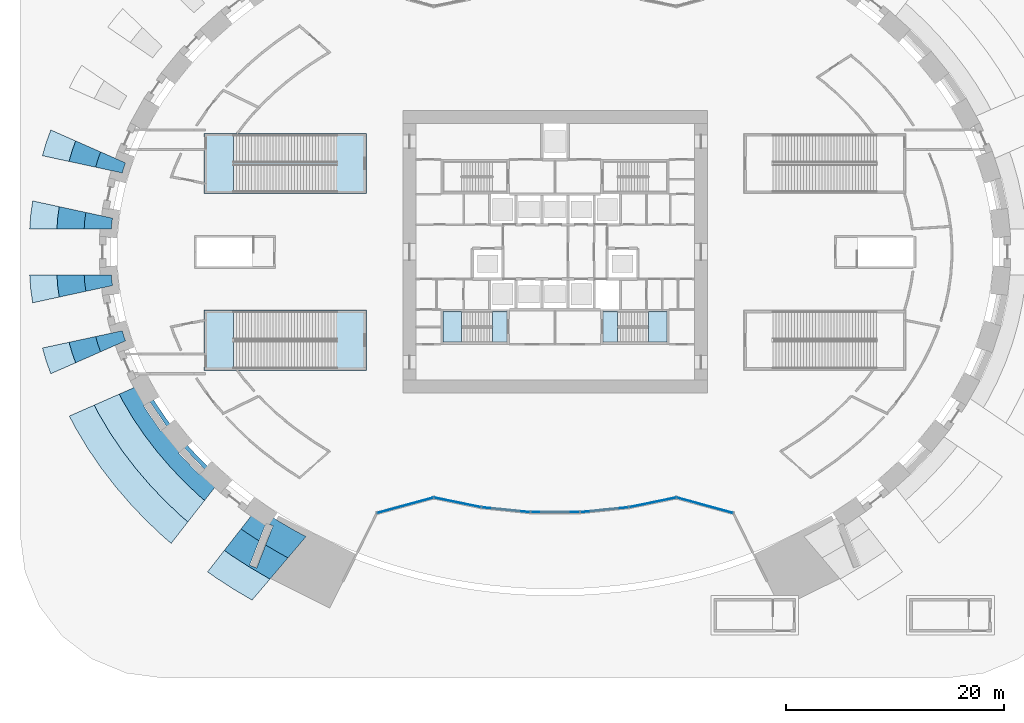
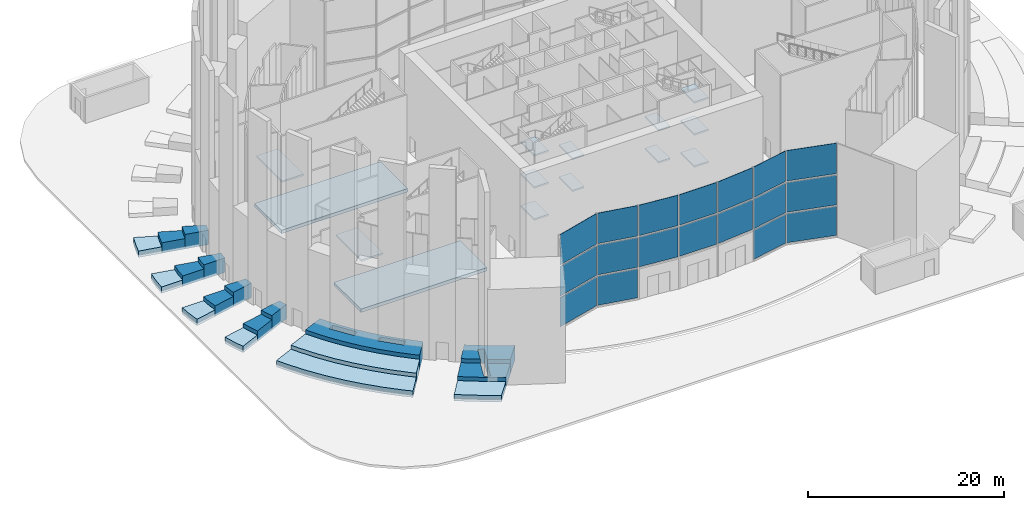
# One storey, part 3 of 25: 32 slabs, 18 plates, 5 elements without a shape of their own.
"""IFC4 building model written with IfcOpenShell, lengths in metres."""

from ifc_helpers import new_model, si_unit, direction, frame, origin, origin_2d, place, context, subcontext, project, spatial, polyline, rectangle, outline, extrude, source, transform, mapped, material, layer, layer_set, type_object, element, aggregate, save


model = new_model("IFC4")

# Units and contexts
model_context = context("Model", 3, precision=1e-05, world=origin(), true_north=direction((0.0, 1.0)))
body_context = subcontext(model_context, "Body", "Model", "MODEL_VIEW")
ifc_project = project(units=[si_unit("LENGTHUNIT", "METRE"), si_unit("AREAUNIT", "SQUARE_METRE"), si_unit("VOLUMEUNIT", "CUBIC_METRE"), si_unit("PLANEANGLEUNIT", "RADIAN"), si_unit("MASSUNIT", "GRAM", prefix="KILO")], contexts=[model_context])

# Site, building, storey
site_placement = place(None, origin())
site = spatial("IfcSite", under=ifc_project, at=site_placement, CompositionType="ELEMENT")
building_placement = place(site_placement, origin())
building = spatial("IfcBuilding", under=site, at=building_placement, Name="Embergate Tower", CompositionType="ELEMENT")
storey_placement = place(building_placement, origin())
storey = spatial("IfcBuildingStorey", under=building, at=storey_placement, Name="L00", CompositionType="ELEMENT", Elevation=0.0)

# Curtain wall, plates
ifc_material_1 = material(Name="Aluminium and glass", Category="aluminium")
curtain_wall_type = type_object("IfcCurtainWallType", Name="Portal infill glazing", PredefinedType="NOTDEFINED", material=ifc_material_1)
curtain_wall_placement = place(storey_placement, origin())
curtain_wall = element("IfcCurtainWall", 1, at=curtain_wall_placement, inside=storey, type_object=curtain_wall_type, Name="Portal infill glazing S porch", ObjectType="PORTAL INFILL GLAZING", PredefinedType="USERDEFINED")
ifc_material_2 = material(Name="Triple glazing, low-emissivity coating", Category="glass")
ifc_layer_1 = layer(ifc_material_2, 0.0458984375)
ifc_layer_set_1 = layer_set([ifc_layer_1], Name="Triple glazing, low-emissivity coating")
plate_type = type_object("IfcPlateType", Name="Portal glazing unit", PredefinedType="CURTAIN_PANEL", material=ifc_layer_set_1)
shared_shape_1 = source(origin(), body_context, "Body", "SweptSolid", [
    extrude(rectangle(XDim=5.27783203125, YDim=0.0458984375, at=origin_2d()), origin(), (0.0, 0.0, 1.0), 3.6298828125),
])
plate_1_placement = place(storey_placement, frame((-13.76904296875, -23.303955078125, 0.18017578125), z_axis=(0.0, 0.0, 1.0), x_axis=(0.96460667999, 0.263692914045, 0.0)))
plate_1 = element("IfcPlate", 2, at=plate_1_placement, type_object=plate_type, Name="CW panel 1.1", PredefinedType="CURTAIN_PANEL", context=body_context, shape_type="MappedRepresentation", body=[
    mapped(shared_shape_1, transform((0.0, 0.0, 0.0))),
])
plate_2_placement = place(storey_placement, frame((13.76904296875, -23.303955078125, 0.18017578125), z_axis=(0.0, 0.0, 1.0), x_axis=(0.96460667999, -0.263692914045, 0.0)))
plate_2 = element("IfcPlate", 3, at=plate_2_placement, type_object=plate_type, Name="CW panel 7.1", PredefinedType="CURTAIN_PANEL", context=body_context, shape_type="MappedRepresentation", body=[
    mapped(shared_shape_1, transform((0.0, 0.0, 0.0))),
])
shared_shape_2 = source(origin(), body_context, "Body", "SweptSolid", [
    extrude(rectangle(XDim=5.27783203125, YDim=0.0458984375, at=origin_2d()), origin(), (0.0, 0.0, 1.0), 3.719970703125),
])
plate_3_placement = place(storey_placement, frame((-13.76904296875, -23.303955078125, 3.990234375), z_axis=(0.0, 0.0, 1.0), x_axis=(0.96460667999, 0.263692914045, 0.0)))
plate_3 = element("IfcPlate", 4, at=plate_3_placement, type_object=plate_type, Name="CW panel 1.2", PredefinedType="CURTAIN_PANEL", context=body_context, shape_type="MappedRepresentation", body=[
    mapped(shared_shape_2, transform((0.0, 0.0, 0.0))),
])
plate_4_placement = place(storey_placement, frame((13.76904296875, -23.303955078125, 3.990234375), z_axis=(0.0, 0.0, 1.0), x_axis=(0.96460667999, -0.263692914045, 0.0)))
plate_4 = element("IfcPlate", 5, at=plate_4_placement, type_object=plate_type, Name="CW panel 7.2", PredefinedType="CURTAIN_PANEL", context=body_context, shape_type="MappedRepresentation", body=[
    mapped(shared_shape_2, transform((0.0, 0.0, 0.0))),
])
shared_shape_3 = source(origin(), body_context, "Body", "SweptSolid", [
    extrude(rectangle(XDim=5.27783203125, YDim=0.0458984375, at=origin_2d()), origin(), (0.0, 0.0, 1.0), 3.81005859375),
])
plate_5_placement = place(storey_placement, frame((-13.76904296875, -23.303955078125, 7.889892578125), z_axis=(0.0, 0.0, 1.0), x_axis=(0.96460667999, 0.263692914045, 0.0)))
plate_5 = element("IfcPlate", 6, at=plate_5_placement, type_object=plate_type, Name="CW panel 1.3", PredefinedType="CURTAIN_PANEL", context=body_context, shape_type="MappedRepresentation", body=[
    mapped(shared_shape_3, transform((0.0, 0.0, 0.0))),
])
plate_6_placement = place(storey_placement, frame((13.76904296875, -23.303955078125, 7.889892578125), z_axis=(0.0, 0.0, 1.0), x_axis=(0.96460667999, -0.263692914045, 0.0)))
plate_6 = element("IfcPlate", 7, at=plate_6_placement, type_object=plate_type, Name="CW panel 7.3", PredefinedType="CURTAIN_PANEL", context=body_context, shape_type="MappedRepresentation", body=[
    mapped(shared_shape_3, transform((0.0, 0.0, 0.0))),
])
shared_shape_4 = source(origin(), body_context, "Body", "SweptSolid", [
    extrude(rectangle(XDim=4.322509765625, YDim=0.0458984375, at=origin_2d()), origin(), (0.0, 0.0, 1.0), 3.6298828125),
])
plate_7_placement = place(storey_placement, frame((-8.970458984375, -23.03857421875, 0.18017578125), z_axis=(0.0, 0.0, 1.0), x_axis=(0.979538383697, -0.201257434309, 0.0)))
plate_7 = element("IfcPlate", 8, at=plate_7_placement, type_object=plate_type, Name="CW panel 2.1", PredefinedType="CURTAIN_PANEL", context=body_context, shape_type="MappedRepresentation", body=[
    mapped(shared_shape_4, transform((0.0, 0.0, 0.0))),
])
plate_8_placement = place(storey_placement, frame((8.970458984375, -23.03857421875, 0.18017578125), z_axis=(0.0, 0.0, 1.0), x_axis=(0.979538383697, 0.201257434309, 0.0)))
plate_8 = element("IfcPlate", 9, at=plate_8_placement, type_object=plate_type, Name="CW panel 6.1", PredefinedType="CURTAIN_PANEL", context=body_context, shape_type="MappedRepresentation", body=[
    mapped(shared_shape_4, transform((0.0, 0.0, 0.0))),
])
shared_shape_5 = source(origin(), body_context, "Body", "SweptSolid", [
    extrude(rectangle(XDim=4.322509765625, YDim=0.0458984375, at=origin_2d()), origin(), (0.0, 0.0, 1.0), 3.719970703125),
])
plate_9_placement = place(storey_placement, frame((-8.970458984375, -23.03857421875, 3.990234375), z_axis=(0.0, 0.0, 1.0), x_axis=(0.979538383697, -0.201257434309, 0.0)))
plate_9 = element("IfcPlate", 10, at=plate_9_placement, type_object=plate_type, Name="CW panel 2.2", PredefinedType="CURTAIN_PANEL", context=body_context, shape_type="MappedRepresentation", body=[
    mapped(shared_shape_5, transform((0.0, 0.0, 0.0))),
])
plate_10_placement = place(storey_placement, frame((8.970458984375, -23.03857421875, 3.990234375), z_axis=(0.0, 0.0, 1.0), x_axis=(0.979538383697, 0.201257434309, 0.0)))
plate_10 = element("IfcPlate", 11, at=plate_10_placement, type_object=plate_type, Name="CW panel 6.2", PredefinedType="CURTAIN_PANEL", context=body_context, shape_type="MappedRepresentation", body=[
    mapped(shared_shape_5, transform((0.0, 0.0, 0.0))),
])
shared_shape_6 = source(origin(), body_context, "Body", "SweptSolid", [
    extrude(rectangle(XDim=4.322509765625, YDim=0.0458984375, at=origin_2d()), origin(), (0.0, 0.0, 1.0), 3.81005859375),
])
plate_11_placement = place(storey_placement, frame((-8.970458984375, -23.03857421875, 7.889892578125), z_axis=(0.0, 0.0, 1.0), x_axis=(0.979538383697, -0.201257434309, 0.0)))
plate_11 = element("IfcPlate", 12, at=plate_11_placement, type_object=plate_type, Name="CW panel 2.3", PredefinedType="CURTAIN_PANEL", context=body_context, shape_type="MappedRepresentation", body=[
    mapped(shared_shape_6, transform((0.0, 0.0, 0.0))),
])
plate_12_placement = place(storey_placement, frame((8.970458984375, -23.03857421875, 7.889892578125), z_axis=(0.0, 0.0, 1.0), x_axis=(0.979538383697, 0.201257434309, 0.0)))
plate_12 = element("IfcPlate", 13, at=plate_12_placement, type_object=plate_type, Name="CW panel 6.3", PredefinedType="CURTAIN_PANEL", context=body_context, shape_type="MappedRepresentation", body=[
    mapped(shared_shape_6, transform((0.0, 0.0, 0.0))),
])
shared_shape_7 = source(origin(), body_context, "Body", "SweptSolid", [
    extrude(rectangle(XDim=4.390869140625, YDim=0.0458984375, at=origin_2d()), origin(), (0.0, 0.0, 1.0), 3.719970703125),
])
plate_13_placement = place(storey_placement, frame((-4.531005859375, -23.71533203125, 3.990234375), z_axis=(0.0, 0.0, 1.0), x_axis=(0.994941904343, -0.100452013328, 0.0)))
plate_13 = element("IfcPlate", 14, at=plate_13_placement, type_object=plate_type, Name="CW panel 3.2", PredefinedType="CURTAIN_PANEL", context=body_context, shape_type="MappedRepresentation", body=[
    mapped(shared_shape_7, transform((0.0, 0.0, 0.0))),
])
plate_14_placement = place(storey_placement, frame((4.531005859375, -23.71533203125, 3.990234375), z_axis=(0.0, 0.0, 1.0), x_axis=(0.994941904343, 0.100452013328, 0.0)))
plate_14 = element("IfcPlate", 15, at=plate_14_placement, type_object=plate_type, Name="CW panel 5.2", PredefinedType="CURTAIN_PANEL", context=body_context, shape_type="MappedRepresentation", body=[
    mapped(shared_shape_7, transform((0.0, 0.0, 0.0))),
])
shared_shape_8 = source(origin(), body_context, "Body", "SweptSolid", [
    extrude(rectangle(XDim=4.390869140625, YDim=0.0458984375, at=origin_2d()), origin(), (0.0, 0.0, 1.0), 3.81005859375),
])
plate_15_placement = place(storey_placement, frame((-4.531005859375, -23.71533203125, 7.889892578125), z_axis=(0.0, 0.0, 1.0), x_axis=(0.994941904343, -0.100452013328, 0.0)))
plate_15 = element("IfcPlate", 16, at=plate_15_placement, type_object=plate_type, Name="CW panel 3.3", PredefinedType="CURTAIN_PANEL", context=body_context, shape_type="MappedRepresentation", body=[
    mapped(shared_shape_8, transform((0.0, 0.0, 0.0))),
])
plate_16_placement = place(storey_placement, frame((4.531005859375, -23.71533203125, 7.889892578125), z_axis=(0.0, 0.0, 1.0), x_axis=(0.994941904343, 0.100452013328, 0.0)))
plate_16 = element("IfcPlate", 17, at=plate_16_placement, type_object=plate_type, Name="CW panel 5.3", PredefinedType="CURTAIN_PANEL", context=body_context, shape_type="MappedRepresentation", body=[
    mapped(shared_shape_8, transform((0.0, 0.0, 0.0))),
])
shared_shape_9 = source(origin(), body_context, "Body", "SweptSolid", [
    extrude(rectangle(XDim=4.4140625, YDim=0.0458984375, at=origin_2d()), origin(), (0.0, 0.0, 1.0), 3.719970703125),
])
plate_17_placement = place(storey_placement, frame((0.0, -23.94287109375, 3.990234375), z_axis=(0.0, 0.0, 1.0), x_axis=(1.0, 0.0, 0.0)))
plate_17 = element("IfcPlate", 18, at=plate_17_placement, type_object=plate_type, Name="CW panel 4.2", PredefinedType="CURTAIN_PANEL", context=body_context, shape_type="MappedRepresentation", body=[
    mapped(shared_shape_9, transform((0.0, 0.0, 0.0))),
])
shared_shape_10 = source(origin(), body_context, "Body", "SweptSolid", [
    extrude(rectangle(XDim=4.4140625, YDim=0.0458984375, at=origin_2d()), origin(), (0.0, 0.0, 1.0), 3.81005859375),
])
plate_18_placement = place(storey_placement, frame((0.0, -23.94287109375, 7.889892578125), z_axis=(0.0, 0.0, 1.0), x_axis=(1.0, 0.0, 0.0)))
plate_18 = element("IfcPlate", 19, at=plate_18_placement, type_object=plate_type, Name="CW panel 4.3", PredefinedType="CURTAIN_PANEL", context=body_context, shape_type="MappedRepresentation", body=[
    mapped(shared_shape_10, transform((0.0, 0.0, 0.0))),
])
aggregate(curtain_wall, [plate_1, plate_3, plate_5, plate_7, plate_9, plate_11, plate_13, plate_15, plate_17, plate_18, plate_14, plate_16, plate_8, plate_10, plate_12, plate_2, plate_4, plate_6])

# Stair, slabs
ifc_material_3 = material(Name="Exit stair")
stair_type_1 = type_object("IfcStairType", Name="Exit stair", PredefinedType="HALF_TURN_STAIR", material=ifc_material_3)
stair_1_placement = place(storey_placement, origin())
stair_1 = element("IfcStair", 20, at=stair_1_placement, inside=storey, type_object=stair_type_1, Name="L00 Exit stair 3", PredefinedType="HALF_TURN_STAIR")
ifc_material_4 = material(Name="Concrete C40", Category="concrete")
ifc_layer_2 = layer(ifc_material_4, 0.199951171875)
ifc_layer_set_2 = layer_set([ifc_layer_2], Name="Concrete C40")
slab_type_1 = type_object("IfcSlabType", Name="Stair landing reinforced concrete", PredefinedType="LANDING", material=ifc_layer_set_2)
shared_shape_11 = source(origin(), body_context, "Body", "SweptSolid", [
    extrude(outline(polyline([(0.0, 0.0), (1.68994140625, 0.0), (1.68994140625, 2.800048828125), (0.0, 2.800048828125), (0.0, 0.0)])), origin(), (0.0, 0.0, 1.0), 0.199951171875),
])
slab_1_placement = place(storey_placement, frame((-10.300048828125, -8.300048828125, 1.800048828125)))
slab_1 = element("IfcSlab", 21, at=slab_1_placement, type_object=slab_type_1, Name="ST3 landing 1", PredefinedType="LANDING", context=body_context, shape_type="MappedRepresentation", body=[
    mapped(shared_shape_11, transform((0.0, 0.0, 0.0))),
])
slab_2_placement = place(storey_placement, frame((-10.300048828125, -8.300048828125, 5.800048828125)))
slab_2 = element("IfcSlab", 22, at=slab_2_placement, type_object=slab_type_1, Name="ST3 landing 3", PredefinedType="LANDING", context=body_context, shape_type="MappedRepresentation", body=[
    mapped(shared_shape_11, transform((0.0, 0.0, 0.0))),
])
slab_3_placement = place(storey_placement, frame((-10.300048828125, -8.300048828125, 9.800048828125)))
slab_3 = element("IfcSlab", 23, at=slab_3_placement, type_object=slab_type_1, Name="ST3 landing 5", PredefinedType="LANDING", context=body_context, shape_type="MappedRepresentation", body=[
    mapped(shared_shape_11, transform((0.0, 0.0, 0.0))),
])

stair_2_placement = place(storey_placement, origin())
stair_2 = element("IfcStair", 24, at=stair_2_placement, inside=storey, type_object=stair_type_1, Name="L00 Exit stair 4", PredefinedType="HALF_TURN_STAIR")
slab_4_placement = place(storey_placement, frame((8.610107421875, -8.300048828125, 1.800048828125)))
slab_4 = element("IfcSlab", 25, at=slab_4_placement, type_object=slab_type_1, Name="ST4 landing 1", PredefinedType="LANDING", context=body_context, shape_type="MappedRepresentation", body=[
    mapped(shared_shape_11, transform((0.0, 0.0, 0.0))),
])
slab_5_placement = place(storey_placement, frame((8.610107421875, -8.300048828125, 5.800048828125)))
slab_5 = element("IfcSlab", 26, at=slab_5_placement, type_object=slab_type_1, Name="ST4 landing 3", PredefinedType="LANDING", context=body_context, shape_type="MappedRepresentation", body=[
    mapped(shared_shape_11, transform((0.0, 0.0, 0.0))),
])
slab_6_placement = place(storey_placement, frame((8.610107421875, -8.300048828125, 9.800048828125)))
slab_6 = element("IfcSlab", 27, at=slab_6_placement, type_object=slab_type_1, Name="ST4 landing 5", PredefinedType="LANDING", context=body_context, shape_type="MappedRepresentation", body=[
    mapped(shared_shape_11, transform((0.0, 0.0, 0.0))),
])

# Slab
shared_shape_12 = source(origin(), body_context, "Body", "SweptSolid", [
    extrude(outline(polyline([(0.0, 0.0), (1.35009765625, 0.0), (1.35009765625, 2.800048828125), (0.0, 2.800048828125), (0.0, 0.0)])), origin(), (0.0, 0.0, 1.0), 0.199951171875),
])
slab_7_placement = place(storey_placement, frame((-5.75, -8.300048828125, 3.800048828125)))
slab_7 = element("IfcSlab", 28, at=slab_7_placement, type_object=slab_type_1, Name="ST3 landing 2", PredefinedType="LANDING", context=body_context, shape_type="MappedRepresentation", body=[
    mapped(shared_shape_12, transform((0.0, 0.0, 0.0))),
])

slab_8_placement = place(storey_placement, frame((-5.75, -8.300048828125, 7.800048828125)))
slab_8 = element("IfcSlab", 29, at=slab_8_placement, type_object=slab_type_1, Name="ST3 landing 4", PredefinedType="LANDING", context=body_context, shape_type="MappedRepresentation", body=[
    mapped(shared_shape_12, transform((0.0, 0.0, 0.0))),
])

aggregate(stair_1, [slab_1, slab_7, slab_2, slab_8, slab_3])

slab_9_placement = place(storey_placement, frame((4.39990234375, -8.300048828125, 3.800048828125)))
slab_9 = element("IfcSlab", 30, at=slab_9_placement, type_object=slab_type_1, Name="ST4 landing 2", PredefinedType="LANDING", context=body_context, shape_type="MappedRepresentation", body=[
    mapped(shared_shape_12, transform((0.0, 0.0, 0.0))),
])

slab_10_placement = place(storey_placement, frame((4.39990234375, -8.300048828125, 7.800048828125)))
slab_10 = element("IfcSlab", 31, at=slab_10_placement, type_object=slab_type_1, Name="ST4 landing 4", PredefinedType="LANDING", context=body_context, shape_type="MappedRepresentation", body=[
    mapped(shared_shape_12, transform((0.0, 0.0, 0.0))),
])

aggregate(stair_2, [slab_4, slab_9, slab_5, slab_10, slab_6])

# Slabs
ifc_layer_3 = layer(ifc_material_4, 0.419921875)
ifc_layer_set_3 = layer_set([ifc_layer_3], Name="Concrete C40")
slab_type_2 = type_object("IfcSlabType", Name="Stair base slab C40 420", PredefinedType="FLOOR", material=ifc_layer_set_3)
shared_shape_13 = source(origin(), body_context, "Body", "SweptSolid", [
    extrude(outline(polyline([(0.0, 0.0), (0.0, 5.5498046875), (14.919921875, 5.5498046875), (14.919921875, 0.0), (0.0, 0.0)])), origin(), (0.0, 0.0, 1.0), 0.419921875),
])
for number, where, name in (
    (32, (-32.27001953125, 5.35009765625, -0.419921875), "Stair base slab"),
    (33, (-32.27001953125, -10.89990234375, -0.419921875), "Stair base slab"),
):
    element("IfcSlab", number, at=place(storey_placement, frame(where)), inside=storey, type_object=slab_type_2, Name=name, PredefinedType="FLOOR", context=body_context, shape_type="MappedRepresentation", body=[
        mapped(shared_shape_13, transform((0.0, 0.0, 0.0))),
    ])

# Stair, slab
stair_type_2 = type_object("IfcStairType", Name="Podium exit stair RC", PredefinedType="HALF_TURN_STAIR", material=ifc_material_4)
stair_3_placement = place(storey_placement, origin())
stair_3 = element("IfcStair", 34, at=stair_3_placement, inside=storey, type_object=stair_type_2, Name="L00 Podium exit stair 3", PredefinedType="HALF_TURN_STAIR")
ifc_layer_4 = layer(ifc_material_4, 0.199951171875)
ifc_layer_set_4 = layer_set([ifc_layer_4], Name="Concrete C40")
slab_type_3 = type_object("IfcSlabType", Name="Podium exit stair landing RC", PredefinedType="LANDING", material=ifc_layer_set_4)
shared_shape_14 = source(origin(), body_context, "Body", "SweptSolid", [
    extrude(outline(polyline([(0.0, 0.0), (2.550048828125, 0.0), (2.550048828125, 5.25), (0.0, 5.25), (0.0, 0.0)])), origin(), (0.0, 0.0, 1.0), 0.199951171875),
])
slab_11_placement = place(storey_placement, frame((-32.1201171875, 5.5, 5.800048828125)))
slab_11 = element("IfcSlab", 35, at=slab_11_placement, type_object=slab_type_3, Name="P3 landing 1", PredefinedType="LANDING", context=body_context, shape_type="MappedRepresentation", body=[
    mapped(shared_shape_14, transform((0.0, 0.0, 0.0))),
])
aggregate(stair_3, [slab_11])

stair_4_placement = place(storey_placement, origin())
stair_4 = element("IfcStair", 36, at=stair_4_placement, inside=storey, type_object=stair_type_2, Name="L00 Podium exit stair 4", PredefinedType="HALF_TURN_STAIR")
slab_12_placement = place(storey_placement, frame((-32.1201171875, -10.75, 5.800048828125)))
slab_12 = element("IfcSlab", 37, at=slab_12_placement, type_object=slab_type_3, Name="P4 landing 1", PredefinedType="LANDING", context=body_context, shape_type="MappedRepresentation", body=[
    mapped(shared_shape_14, transform((0.0, 0.0, 0.0))),
])
aggregate(stair_4, [slab_12])

# Slabs
ifc_material_5 = material(Name="Stone on concrete fill", Category="masonry")
ifc_layer_5 = layer(ifc_material_5, 0.5)
ifc_layer_set_5 = layer_set([ifc_layer_5], Name="Stone plinth step")
slab_type_4 = type_object("IfcSlabType", Name="Plinth step stone 500", PredefinedType="USERDEFINED", material=ifc_layer_set_5)
shared_shape_15 = source(origin(), body_context, "Body", "SweptSolid", [
    extrude(outline(polyline([(0.0, 0.0), (-2.447998046875, 0.529052734375), (-2.2412109375, 1.2470703125), (-1.9912109375, 1.93603515625), (0.30078125, 0.927001953125), (0.135986328125, 0.47216796875), (0.0, 0.0)])), origin(), (0.0, 0.0, 1.0), 1.800048828125),
])
slab_13_placement = place(storey_placement, frame((-39.7958984375, 7.25390625, -0.300048828125)))
element("IfcSlab", 38, at=slab_13_placement, inside=storey, type_object=slab_type_4, Name="Plinth step", ObjectType="PLINTH STEP", PredefinedType="USERDEFINED", context=body_context, shape_type="MappedRepresentation", body=[
    mapped(shared_shape_15, transform((0.0, 0.0, 0.0))),
])
shared_shape_16 = source(origin(), body_context, "Body", "SweptSolid", [
    extrude(outline(polyline([(0.0, 0.0), (0.053955078125, 0.757080078125), (0.1611328125, 1.5029296875), (2.609130859375, 0.97412109375), (2.5400390625, 0.489990234375), (2.505126953125, 0.0), (0.0, 0.0)])), origin(), (0.0, 0.0, 1.0), 1.800048828125),
])
slab_14_placement = place(storey_placement, frame((-43.300048828125, 2.125, -0.300048828125)))
element("IfcSlab", 39, at=slab_14_placement, inside=storey, type_object=slab_type_4, Name="Plinth step", ObjectType="PLINTH STEP", PredefinedType="USERDEFINED", context=body_context, shape_type="MappedRepresentation", body=[
    mapped(shared_shape_16, transform((0.0, 0.0, 0.0))),
])
shared_shape_17 = source(origin(), body_context, "Body", "SweptSolid", [
    extrude(outline(polyline([(0.0, 0.0), (-0.107177734375, 0.745849609375), (-0.1611328125, 1.5029296875), (2.343994140625, 1.5029296875), (2.37890625, 1.012939453125), (2.447998046875, 0.52880859375), (0.0, 0.0)])), origin(), (0.0, 0.0, 1.0), 1.800048828125),
])
slab_15_placement = place(storey_placement, frame((-43.138916015625, -3.6279296875, -0.300048828125)))
element("IfcSlab", 40, at=slab_15_placement, inside=storey, type_object=slab_type_4, Name="Plinth step", ObjectType="PLINTH STEP", PredefinedType="USERDEFINED", context=body_context, shape_type="MappedRepresentation", body=[
    mapped(shared_shape_17, transform((0.0, 0.0, 0.0))),
])
shared_shape_18 = source(origin(), body_context, "Body", "SweptSolid", [
    extrude(outline(polyline([(0.0, 0.0), (-0.25, 0.68896484375), (-0.456787109375, 1.406982421875), (1.9912109375, 1.93603515625), (2.127197265625, 1.4638671875), (2.2919921875, 1.009033203125), (0.0, 0.0)])), origin(), (0.0, 0.0, 1.0), 1.800048828125),
])
slab_16_placement = place(storey_placement, frame((-41.787109375, -9.18994140625, -0.300048828125)))
element("IfcSlab", 41, at=slab_16_placement, inside=storey, type_object=slab_type_4, Name="Plinth step", ObjectType="PLINTH STEP", PredefinedType="USERDEFINED", context=body_context, shape_type="MappedRepresentation", body=[
    mapped(shared_shape_18, transform((0.0, 0.0, 0.0))),
])
shared_shape_19 = source(origin(), body_context, "Body", "SweptSolid", [
    extrude(outline(polyline([(0.0, 0.0), (1.537109375, 1.973876953125), (1.18115234375, 2.27978515625), (-0.094970703125, 3.48681640625), (-1.2919921875, 4.742919921875), (-2.407958984375, 6.04296875), (-3.47900390625, 7.43896484375), (-4.45703125, 8.876953125), (-5.337890625, 10.351806640625), (-5.56201171875, 10.785888671875), (-7.85302734375, 9.77685546875), (-7.52099609375, 9.134765625), (-6.56396484375, 7.531982421875), (-5.5048828125, 5.973876953125), (-4.347900390625, 4.4658203125), (-3.14501953125, 3.06494140625), (-1.85888671875, 1.7158203125), (-0.491943359375, 0.421875), (0.0, 0.0)]), holes=[polyline([(-0.492919921875, 2.372802734375), (-2.39794921875, 4.364990234375), (-1.891845703125, 4.848876953125), (0.01318359375, 2.85693359375), (-0.492919921875, 2.372802734375)]), polyline([(-4.048828125, 6.39599609375), (-5.616943359375, 8.69482421875), (-5.037841796875, 9.0888671875), (-3.470947265625, 6.790771484375), (-4.048828125, 6.39599609375)])]), origin(), (0.0, 0.0, 1.0), 1.800048828125),
])
slab_17_placement = place(storey_placement, frame((-32.22607421875, -22.85888671875, -0.300048828125)))
element("IfcSlab", 42, at=slab_17_placement, inside=storey, type_object=slab_type_4, Name="Plinth step", ObjectType="PLINTH STEP", PredefinedType="USERDEFINED", context=body_context, shape_type="MappedRepresentation", body=[
    mapped(shared_shape_19, transform((0.0, 0.0, 0.0))),
])
shared_shape_20 = source(origin(), body_context, "Body", "SweptSolid", [
    extrude(outline(polyline([(0.0, 0.0), (-0.694091796875, 0.370849609375), (-2.06201171875, 1.1748046875), (-1.382080078125, 2.94091796875), (-2.034912109375, 3.19287109375), (-2.666015625, 1.552978515625), (-3.801025390625, 2.285888671875), (-4.322998046875, 2.65576171875), (-2.7861328125, 4.6298828125), (-2.39990234375, 4.35595703125), (-0.9619140625, 3.427978515625), (0.528076171875, 2.55078125), (1.656005859375, 1.948974609375), (0.0, 0.0)])), origin(), (0.0, 0.0, 1.0), 1.800048828125),
])
slab_18_placement = place(storey_placement, frame((-24.552978515625, -28.1298828125, -0.300048828125)))
element("IfcSlab", 43, at=slab_18_placement, inside=storey, type_object=slab_type_4, Name="Plinth step", ObjectType="PLINTH STEP", PredefinedType="USERDEFINED", context=body_context, shape_type="MappedRepresentation", body=[
    mapped(shared_shape_20, transform((0.0, 0.0, 0.0))),
])
shared_shape_21 = source(origin(), body_context, "Body", "SweptSolid", [
    extrude(outline(polyline([(0.0, 0.0), (-2.447998046875, 0.529052734375), (-2.170166015625, 1.492919921875), (-1.835205078125, 2.416015625), (0.456787109375, 1.406982421875), (0.206787109375, 0.718017578125), (0.0, 0.0)])), origin(), (0.0, 0.0, 1.0), 1.300048828125),
])
slab_19_placement = place(storey_placement, frame((-42.243896484375, 7.782958984375, -0.300048828125)))
element("IfcSlab", 44, at=slab_19_placement, inside=storey, type_object=slab_type_4, Name="Plinth step", ObjectType="PLINTH STEP", PredefinedType="USERDEFINED", context=body_context, shape_type="MappedRepresentation", body=[
    mapped(shared_shape_21, transform((0.0, 0.0, 0.0))),
])
shared_shape_22 = source(origin(), body_context, "Body", "SweptSolid", [
    extrude(outline(polyline([(0.0, 0.0), (0.072998046875, 1.02392578125), (0.217041015625, 2.031982421875), (2.6650390625, 1.5029296875), (2.557861328125, 0.757080078125), (2.50390625, 0.0), (0.0, 0.0)])), origin(), (0.0, 0.0, 1.0), 1.300048828125),
])
slab_20_placement = place(storey_placement, frame((-45.803955078125, 2.125, -0.300048828125)))
element("IfcSlab", 45, at=slab_20_placement, inside=storey, type_object=slab_type_4, Name="Plinth step", ObjectType="PLINTH STEP", PredefinedType="USERDEFINED", context=body_context, shape_type="MappedRepresentation", body=[
    mapped(shared_shape_22, transform((0.0, 0.0, 0.0))),
])
shared_shape_23 = source(origin(), body_context, "Body", "SweptSolid", [
    extrude(outline(polyline([(0.0, 0.0), (-0.14404296875, 1.008056640625), (-0.217041015625, 2.031982421875), (2.286865234375, 2.031982421875), (2.3408203125, 1.27490234375), (2.447998046875, 0.529052734375), (0.0, 0.0)])), origin(), (0.0, 0.0, 1.0), 1.300048828125),
])
slab_21_placement = place(storey_placement, frame((-45.5869140625, -4.156982421875, -0.300048828125)))
element("IfcSlab", 46, at=slab_21_placement, inside=storey, type_object=slab_type_4, Name="Plinth step", ObjectType="PLINTH STEP", PredefinedType="USERDEFINED", context=body_context, shape_type="MappedRepresentation", body=[
    mapped(shared_shape_23, transform((0.0, 0.0, 0.0))),
])
shared_shape_24 = source(origin(), body_context, "Body", "SweptSolid", [
    extrude(outline(polyline([(0.0, 0.0), (-0.3349609375, 0.923095703125), (-0.61279296875, 1.886962890625), (1.835205078125, 2.416015625), (2.0419921875, 1.697998046875), (2.2919921875, 1.009033203125), (0.0, 0.0)])), origin(), (0.0, 0.0, 1.0), 1.300048828125),
])
slab_22_placement = place(storey_placement, frame((-44.0791015625, -10.198974609375, -0.300048828125)))
element("IfcSlab", 47, at=slab_22_placement, inside=storey, type_object=slab_type_4, Name="Plinth step", ObjectType="PLINTH STEP", PredefinedType="USERDEFINED", context=body_context, shape_type="MappedRepresentation", body=[
    mapped(shared_shape_24, transform((0.0, 0.0, 0.0))),
])
shared_shape_25 = source(origin(), body_context, "Body", "SweptSolid", [
    extrude(outline(polyline([(0.0, 0.0), (-0.628173828125, 0.5380859375), (-2.086181640625, 1.9189453125), (-3.462158203125, 3.361083984375), (-4.75, 4.863037109375), (-5.994140625, 6.48291015625), (-7.135009765625, 8.160888671875), (-8.16796875, 9.89208984375), (-8.608154296875, 10.742919921875), (-6.316162109375, 11.7509765625), (-5.984130859375, 11.10888671875), (-5.027099609375, 9.506103515625), (-3.968017578125, 7.947998046875), (-2.81103515625, 6.43994140625), (-1.608154296875, 5.0390625), (-0.322021484375, 3.68994140625), (1.044921875, 2.39599609375), (1.536865234375, 1.97412109375), (0.0, 0.0)])), origin(), (0.0, 0.0, 1.0), 1.300048828125),
])
slab_23_placement = place(storey_placement, frame((-33.762939453125, -24.8330078125, -0.300048828125)))
element("IfcSlab", 48, at=slab_23_placement, inside=storey, type_object=slab_type_4, Name="Plinth step", ObjectType="PLINTH STEP", PredefinedType="USERDEFINED", context=body_context, shape_type="MappedRepresentation", body=[
    mapped(shared_shape_25, transform((0.0, 0.0, 0.0))),
])
shared_shape_26 = source(origin(), body_context, "Body", "SweptSolid", [
    extrude(outline(polyline([(0.0, 0.0), (-0.260986328125, 0.13916015625), (-1.930908203125, 1.12109375), (-3.546875, 2.1640625), (-4.205078125, 2.631103515625), (-2.66796875, 4.60498046875), (-2.14599609375, 4.235107421875), (-1.010986328125, 3.502197265625), (-1.875, 1.26220703125), (-1.221923828125, 1.010009765625), (-0.406982421875, 3.1240234375), (0.9609375, 2.320068359375), (1.655029296875, 1.94921875), (0.0, 0.0)])), origin(), (0.0, 0.0, 1.0), 1.300048828125),
])
slab_24_placement = place(storey_placement, frame((-26.2080078125, -30.0791015625, -0.300048828125)))
element("IfcSlab", 49, at=slab_24_placement, inside=storey, type_object=slab_type_4, Name="Plinth step", ObjectType="PLINTH STEP", PredefinedType="USERDEFINED", context=body_context, shape_type="MappedRepresentation", body=[
    mapped(shared_shape_26, transform((0.0, 0.0, 0.0))),
])
shared_shape_27 = source(origin(), body_context, "Body", "SweptSolid", [
    extrude(outline(polyline([(0.0, 0.0), (-2.447998046875, 0.528076171875), (-2.09912109375, 1.739013671875), (-1.67919921875, 2.89501953125), (0.61279296875, 1.886962890625), (0.27783203125, 0.9638671875), (0.0, 0.0)])), origin(), (0.0, 0.0, 1.0), 0.800048828125),
])
slab_25_placement = place(storey_placement, frame((-44.69189453125, 8.31201171875, -0.300048828125)))
element("IfcSlab", 50, at=slab_25_placement, inside=storey, type_object=slab_type_4, Name="Plinth step", ObjectType="PLINTH STEP", PredefinedType="USERDEFINED", context=body_context, shape_type="MappedRepresentation", body=[
    mapped(shared_shape_27, transform((0.0, 0.0, 0.0))),
])
shared_shape_28 = source(origin(), body_context, "Body", "SweptSolid", [
    extrude(outline(polyline([(0.0, 0.0), (0.092041015625, 1.291015625), (0.273193359375, 2.56103515625), (2.72216796875, 2.031982421875), (2.578125, 1.02392578125), (2.505126953125, 0.0), (0.0, 0.0)])), origin(), (0.0, 0.0, 1.0), 0.800048828125),
])
slab_26_placement = place(storey_placement, frame((-48.30908203125, 2.125, -0.300048828125)))
element("IfcSlab", 51, at=slab_26_placement, inside=storey, type_object=slab_type_4, Name="Plinth step", ObjectType="PLINTH STEP", PredefinedType="USERDEFINED", context=body_context, shape_type="MappedRepresentation", body=[
    mapped(shared_shape_28, transform((0.0, 0.0, 0.0))),
])
shared_shape_29 = source(origin(), body_context, "Body", "SweptSolid", [
    extrude(outline(polyline([(0.0, 0.0), (-0.18115234375, 1.27001953125), (-0.273193359375, 2.56103515625), (2.23193359375, 2.56103515625), (2.304931640625, 1.537109375), (2.448974609375, 0.529052734375), (0.0, 0.0)])), origin(), (0.0, 0.0, 1.0), 0.800048828125),
])
slab_27_placement = place(storey_placement, frame((-48.035888671875, -4.68603515625, -0.300048828125)))
element("IfcSlab", 52, at=slab_27_placement, inside=storey, type_object=slab_type_4, Name="Plinth step", ObjectType="PLINTH STEP", PredefinedType="USERDEFINED", context=body_context, shape_type="MappedRepresentation", body=[
    mapped(shared_shape_29, transform((0.0, 0.0, 0.0))),
])
shared_shape_30 = source(origin(), body_context, "Body", "SweptSolid", [
    extrude(outline(polyline([(0.0, 0.0), (-0.419921875, 1.156005859375), (-0.768798828125, 2.365966796875), (1.67919921875, 2.89501953125), (1.95703125, 1.93115234375), (2.2919921875, 1.008056640625), (0.0, 0.0)])), origin(), (0.0, 0.0, 1.0), 0.800048828125),
])
slab_28_placement = place(storey_placement, frame((-46.37109375, -11.20703125, -0.300048828125)))
element("IfcSlab", 53, at=slab_28_placement, inside=storey, type_object=slab_type_4, Name="Plinth step", ObjectType="PLINTH STEP", PredefinedType="USERDEFINED", context=body_context, shape_type="MappedRepresentation", body=[
    mapped(shared_shape_30, transform((0.0, 0.0, 0.0))),
])
shared_shape_31 = source(origin(), body_context, "Body", "SweptSolid", [
    extrude(outline(polyline([(0.0, 0.0), (-0.762939453125, 0.656005859375), (-2.31298828125, 2.123046875), (-3.77685546875, 3.6591796875), (-5.15185546875, 5.260986328125), (-6.48193359375, 6.994140625), (-7.703857421875, 8.791015625), (-8.81396484375, 10.650146484375), (-9.362060546875, 11.708984375), (-7.070068359375, 12.718017578125), (-6.6298828125, 11.8671875), (-5.596923828125, 10.135986328125), (-4.4560546875, 8.4580078125), (-3.2119140625, 6.838134765625), (-1.924072265625, 5.336181640625), (-0.548095703125, 3.89404296875), (0.909912109375, 2.51318359375), (1.5380859375, 1.97509765625), (0.0, 0.0)])), origin(), (0.0, 0.0, 1.0), 0.800048828125),
])
slab_29_placement = place(storey_placement, frame((-35.301025390625, -26.80810546875, -0.300048828125)))
element("IfcSlab", 54, at=slab_29_placement, inside=storey, type_object=slab_type_4, Name="Plinth step", ObjectType="PLINTH STEP", PredefinedType="USERDEFINED", context=body_context, shape_type="MappedRepresentation", body=[
    mapped(shared_shape_31, transform((0.0, 0.0, 0.0))),
])
shared_shape_32 = source(origin(), body_context, "Body", "SweptSolid", [
    extrude(outline(polyline([(0.0, 0.0), (-1.592041015625, 0.93505859375), (-3.297119140625, 2.036865234375), (-4.091064453125, 2.599853515625), (-2.55419921875, 4.573974609375), (-1.89599609375, 4.10693359375), (-0.280029296875, 3.06396484375), (1.389892578125, 2.08203125), (1.65087890625, 1.94287109375), (0.0, 0.0)])), origin(), (0.0, 0.0, 1.0), 0.800048828125),
])
slab_30_placement = place(storey_placement, frame((-27.85888671875, -32.02197265625, -0.300048828125)))
element("IfcSlab", 55, at=slab_30_placement, inside=storey, type_object=slab_type_4, Name="Plinth step", ObjectType="PLINTH STEP", PredefinedType="USERDEFINED", context=body_context, shape_type="MappedRepresentation", body=[
    mapped(shared_shape_32, transform((0.0, 0.0, 0.0))),
])

save(model, "model.ifc")
